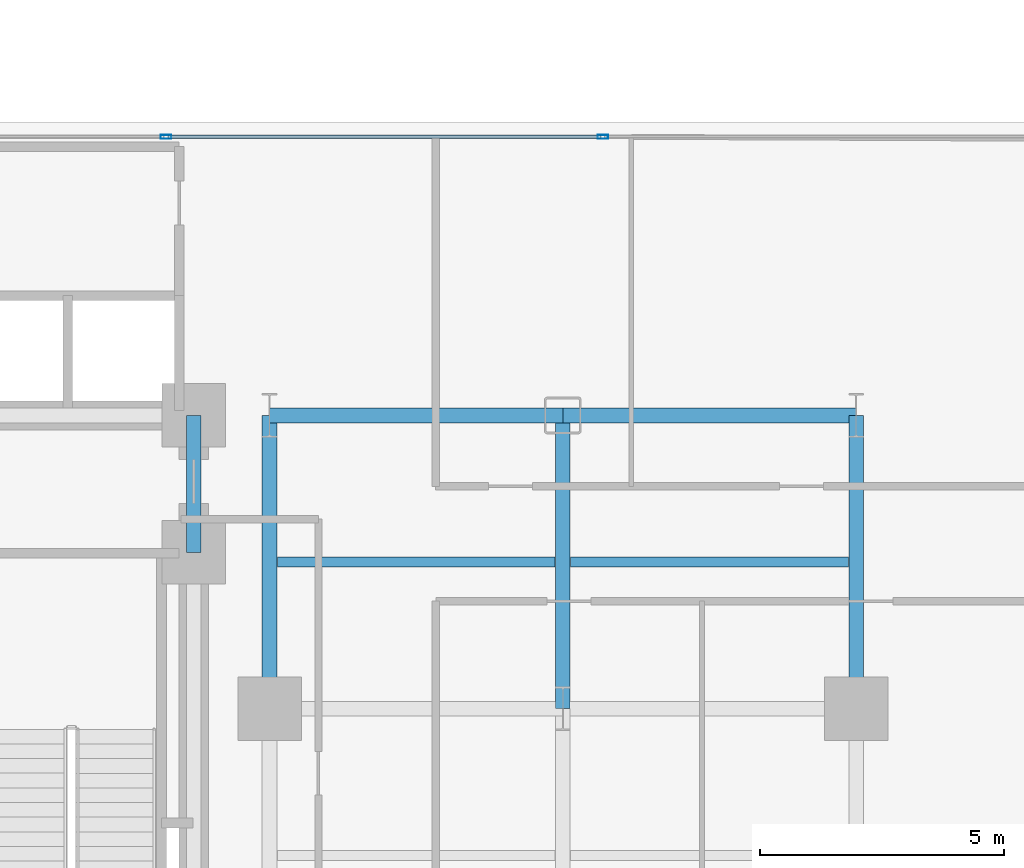
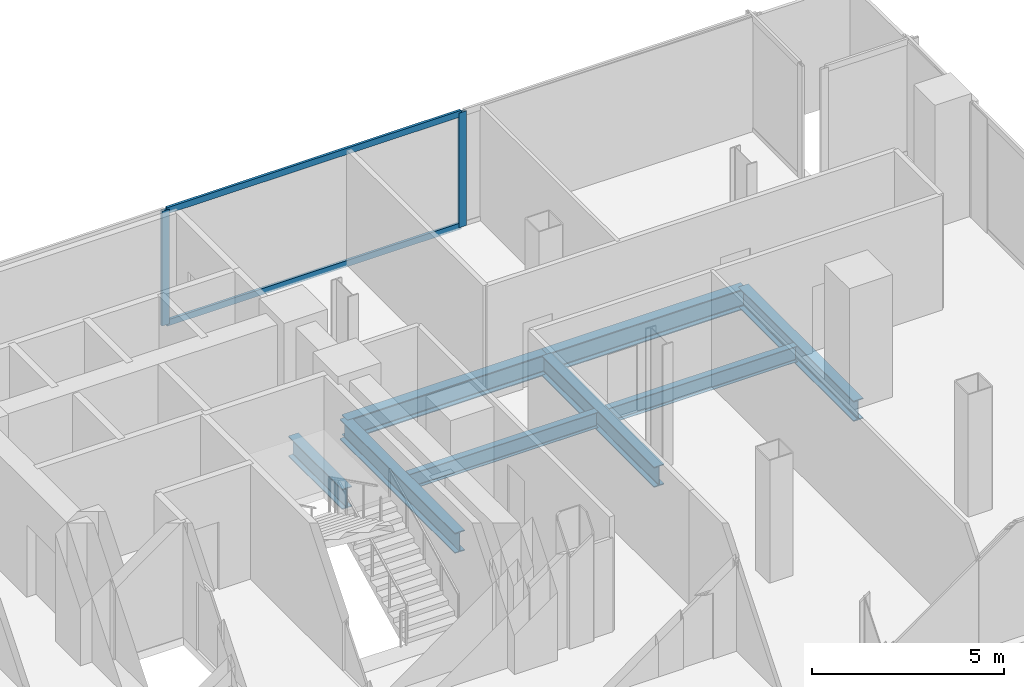
# One storey, part 11 of 25: 8 beams, 4 members, 1 element without a shape of its own.
"""IFC4 building model written with IfcOpenShell, lengths in metres."""

from ifc_helpers import new_model, si_unit, direction, frame, origin, origin_2d, place, context, subcontext, project, spatial, hollow_rectangle, i_section, extrude, material, layer, layer_set, material_profile, profile_set, type_object, element, aggregate, save


model = new_model("IFC4")

# Units and contexts
model_context = context("Model", 3, precision=1e-05, world=origin(), true_north=direction((0.0, 1.0)))
body_context = subcontext(model_context, "Body", "Model", "MODEL_VIEW")
ifc_project = project(units=[si_unit("LENGTHUNIT", "METRE"), si_unit("AREAUNIT", "SQUARE_METRE"), si_unit("VOLUMEUNIT", "CUBIC_METRE"), si_unit("PLANEANGLEUNIT", "RADIAN"), si_unit("MASSUNIT", "GRAM", prefix="KILO"), si_unit("THERMODYNAMICTEMPERATUREUNIT", "KELVIN"), si_unit("POWERUNIT", "WATT")], contexts=[model_context])

# Site, building, storey
site_placement = place(None, origin())
site = spatial("IfcSite", under=ifc_project, at=site_placement, CompositionType="ELEMENT")
building_placement = place(site_placement, origin())
building = spatial("IfcBuilding", under=site, at=building_placement, Name="Svarakhadi Broadcast Tower", CompositionType="ELEMENT")
storey_placement = place(building_placement, frame((0.0, 0.0, 32.39990234375)))
storey = spatial("IfcBuildingStorey", under=building, at=storey_placement, Name="L06", CompositionType="ELEMENT", Elevation=32.39990234375)

# Beams
ifc_material_1 = material(Name="Steel S355J2 (IS 2062 E350C)", Category="steel")
ifc_material_profile_1 = material_profile(ifc_material_1, i_section(OverallWidth=0.199951171875, OverallDepth=0.5, WebThickness=0.01025390625, FlangeThickness=0.01611328125, FilletRadius=0.02099609375, at=origin_2d()), Name="NPB 500x200x91")
ifc_profile_set_1 = profile_set([ifc_material_profile_1], Name="Steel S355J2 (IS 2062 E350C)")
beam_type_1 = type_object("IfcBeamType", Name="Beam_NPB500", PredefinedType="BEAM", material=ifc_profile_set_1)
for number, where, z_axis, x_axis, name in (
    (1, (35.31005859375, 15.0, -0.5), (1.0, 0.0, 0.0), (0.0, 1.0, 0.0), "L06 Secondary Composite Beam SB024"),
    (2, (41.31005859375, 15.0, -0.5), (1.0, 0.0, 0.0), (0.0, 1.0, 0.0), "L06 Secondary Composite Beam SB027"),
):
    element("IfcBeam", number, at=place(storey_placement, frame(where, z_axis=z_axis, x_axis=x_axis)), inside=storey, type_object=beam_type_1, Name=name, PredefinedType="BEAM", context=body_context, shape_type="SweptSolid", body=[
        extrude(i_section(OverallWidth=0.199951171875, OverallDepth=0.5, WebThickness=0.01025390625, FlangeThickness=0.01611328125, FilletRadius=0.02099609375, at=origin_2d()), origin(), (0.0, 0.0, 1.0), 5.679931640625),
    ])

# Curtain wall, members
ifc_material_2 = material(Name="Anodised Bronze Aluminium AA 6063-T6", Category="aluminium")
ifc_layer = layer(ifc_material_2, 0.219970703125)
ifc_layer_set = layer_set([ifc_layer], Name="Anodised Bronze Aluminium AA 6063-T6")
curtain_wall_type = type_object("IfcCurtainWallType", Name="CW_Sys_02", PredefinedType="NOTDEFINED", material=ifc_layer_set)
curtain_wall_placement = place(storey_placement, origin())
curtain_wall = element("IfcCurtainWall", 3, at=curtain_wall_placement, inside=storey, type_object=curtain_wall_type, Name="L06 Unitised Facade Curtain Wall 10", PredefinedType="NOTDEFINED")
ifc_material_profile_2 = material_profile(ifc_material_2, hollow_rectangle(XDim=0.0849609375, YDim=0.219970703125, WallThickness=0.006103515625, at=origin_2d()), Name="ALU MULLION 220x85x6")
ifc_profile_set_2 = profile_set([ifc_material_profile_2], Name="Anodised Bronze Aluminium AA 6063-T6")
member_type_1 = type_object("IfcMemberType", Name="CW_Sys_02_Mul", PredefinedType="MULLION", material=ifc_profile_set_2)
member_1_placement = place(storey_placement, frame((33.030029296875, 23.699951171875, 0.0), z_axis=(0.0, 0.0, 1.0), x_axis=(0.0, 1.0, 0.0)))
member_1 = element("IfcMember", 4, at=member_1_placement, type_object=member_type_1, Name="CW-02 mullion 2", PredefinedType="MULLION", context=body_context, shape_type="SweptSolid", body=[
    extrude(hollow_rectangle(XDim=0.0849609375, YDim=0.219970703125, WallThickness=0.006103515625, at=origin_2d()), origin(), (0.0, 0.0, 1.0), 3.650146484375),
])
member_2_placement = place(storey_placement, frame((41.969970703125, 23.699951171875, 0.0), z_axis=(0.0, 0.0, 1.0), x_axis=(0.0, 1.0, 0.0)))
member_2 = element("IfcMember", 5, at=member_2_placement, type_object=member_type_1, Name="CW-02 mullion 3", PredefinedType="MULLION", context=body_context, shape_type="SweptSolid", body=[
    extrude(hollow_rectangle(XDim=0.0849609375, YDim=0.219970703125, WallThickness=0.006103515625, at=origin_2d()), origin(), (0.0, 0.0, 1.0), 3.650146484375),
])
ifc_material_profile_3 = material_profile(ifc_material_2, hollow_rectangle(XDim=0.074951171875, YDim=0.199951171875, WallThickness=0.0048828125, at=origin_2d()), Name="ALU TRANSOM 200x75x5")
ifc_profile_set_3 = profile_set([ifc_material_profile_3], Name="Anodised Bronze Aluminium AA 6063-T6")
member_type_2 = type_object("IfcMemberType", Name="CW_Sys_02_Trn", PredefinedType="USERDEFINED", material=ifc_profile_set_3)
member_3_placement = place(storey_placement, frame((33.072509765625, 23.699951171875, 0.03759765625), z_axis=(1.0, 0.0, 0.0), x_axis=(0.0, 1.0, 0.0)))
member_3 = element("IfcMember", 6, at=member_3_placement, type_object=member_type_2, Name="CW-02 transom 2.1", ObjectType="TRANSOM", PredefinedType="USERDEFINED", context=body_context, shape_type="SweptSolid", body=[
    extrude(hollow_rectangle(XDim=0.074951171875, YDim=0.199951171875, WallThickness=0.0048828125, at=origin_2d()), origin(), (0.0, 0.0, 1.0), 8.85498046875),
])
member_4_placement = place(storey_placement, frame((33.072509765625, 23.699951171875, 3.612548828125), z_axis=(1.0, 0.0, 0.0), x_axis=(0.0, 1.0, 0.0)))
member_4 = element("IfcMember", 7, at=member_4_placement, type_object=member_type_2, Name="CW-02 transom 2.2", ObjectType="TRANSOM", PredefinedType="USERDEFINED", context=body_context, shape_type="SweptSolid", body=[
    extrude(hollow_rectangle(XDim=0.074951171875, YDim=0.199951171875, WallThickness=0.0048828125, at=origin_2d()), origin(), (0.0, 0.0, 1.0), 8.85498046875),
])
aggregate(curtain_wall, [member_1, member_2, member_3, member_4])

# Beams
ifc_material_profile_4 = material_profile(ifc_material_1, i_section(OverallWidth=0.300048828125, OverallDepth=0.64990234375, WebThickness=0.01611328125, FlangeThickness=0.031005859375, FilletRadius=0.027099609375, at=origin_2d()), Name="WPB 650x300x225")
ifc_profile_set_4 = profile_set([ifc_material_profile_4], Name="Steel S355J2 (IS 2062 E350C)")
beam_type_2 = type_object("IfcBeamType", Name="Girder_WPB650", PredefinedType="USERDEFINED", material=ifc_profile_set_4)
for number, where, z_axis, x_axis, name in (
    (8, (35.14990234375, 18.0, -0.574951171875), (1.0, 0.0, 0.0), (0.0, 1.0, 0.0), "L06 Primary E-W Girder G030"),
    (9, (41.14990234375, 18.0, -0.574951171875), (1.0, 0.0, 0.0), (0.0, 1.0, 0.0), "L06 Primary E-W Girder G031"),
):
    element("IfcBeam", number, at=place(storey_placement, frame(where, z_axis=z_axis, x_axis=x_axis)), inside=storey, type_object=beam_type_2, Name=name, ObjectType="GIRDER", PredefinedType="USERDEFINED", context=body_context, shape_type="SweptSolid", body=[
        extrude(i_section(OverallWidth=0.300048828125, OverallDepth=0.64990234375, WebThickness=0.01611328125, FlangeThickness=0.031005859375, FilletRadius=0.027099609375, at=origin_2d()), origin(), (0.0, 0.0, 1.0), 6.0),
    ])
beam_placement = place(storey_placement, frame((33.60009765625, 15.199951171875, -0.574951171875), z_axis=(0.0, 1.0, 0.0), x_axis=(-1.0, 0.0, 0.0)))
element("IfcBeam", 10, at=beam_placement, inside=storey, type_object=beam_type_2, Name="L06 Primary N-S Girder G075", ObjectType="GIRDER", PredefinedType="USERDEFINED", context=body_context, shape_type="SweptSolid", body=[
    extrude(i_section(OverallWidth=0.300048828125, OverallDepth=0.64990234375, WebThickness=0.01611328125, FlangeThickness=0.031005859375, FilletRadius=0.027099609375, at=origin_2d()), origin(), (0.0, 0.0, 1.0), 2.800048828125),
])
for number, where, z_axis, x_axis, name in (
    (11, (35.14990234375, 12.0, -0.574951171875), (0.0, 1.0, 0.0), (-1.0, 0.0, 0.0), "L06 Primary N-S Girder G078"),
    (12, (41.14990234375, 12.0, -0.574951171875), (0.0, 1.0, 0.0), (-1.0, 0.0, 0.0), "L06 Primary N-S Girder G081"),
    (13, (47.14990234375, 12.0, -0.574951171875), (0.0, 1.0, 0.0), (-1.0, 0.0, 0.0), "L06 Primary N-S Girder G084"),
):
    element("IfcBeam", number, at=place(storey_placement, frame(where, z_axis=z_axis, x_axis=x_axis)), inside=storey, type_object=beam_type_2, Name=name, ObjectType="GIRDER", PredefinedType="USERDEFINED", context=body_context, shape_type="SweptSolid", body=[
        extrude(i_section(OverallWidth=0.300048828125, OverallDepth=0.64990234375, WebThickness=0.01611328125, FlangeThickness=0.031005859375, FilletRadius=0.027099609375, at=origin_2d()), origin(), (0.0, 0.0, 1.0), 6.0),
    ])

save(model, "model.ifc")
